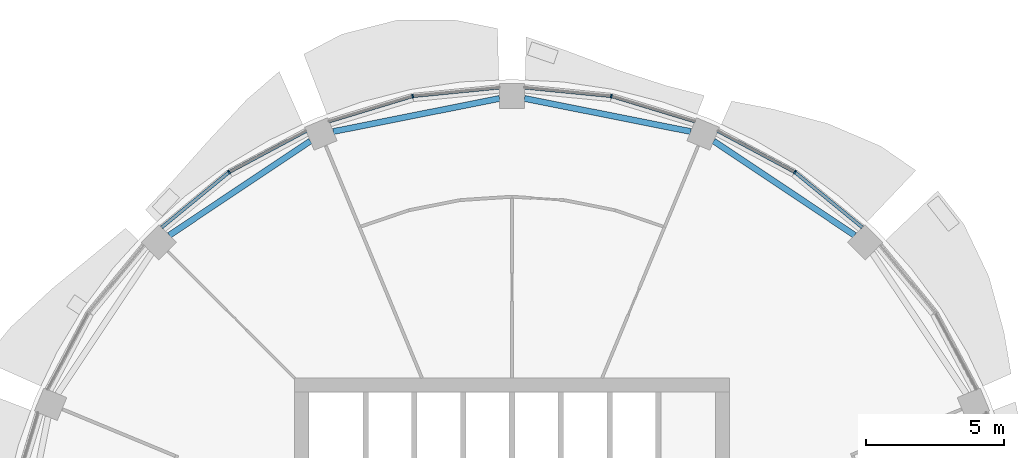
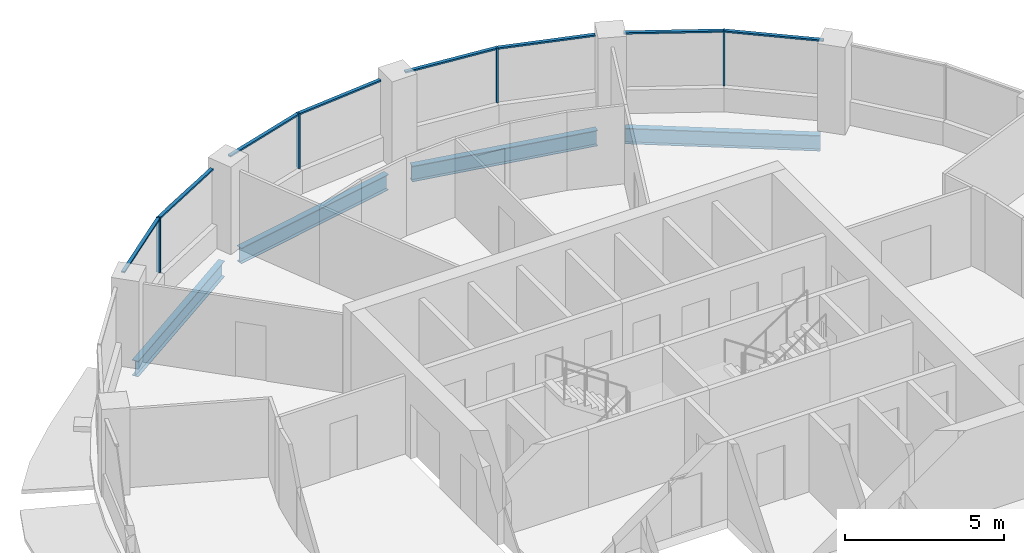
# One storey, part 6 of 15: 12 members, 4 beams, 4 elements without a shape of their own.
"""IFC4 building model written with IfcOpenShell, lengths in metres."""

from ifc_helpers import new_model, si_unit, direction, frame, origin, origin_2d, place, context, subcontext, project, spatial, rectangle, i_section, extrude, material, material_profile, profile_set, type_object, element, aggregate, save


model = new_model("IFC4")

# Units and contexts
model_context = context("Model", 3, precision=1e-05, world=origin(), true_north=direction((0.0, 1.0)))
body_context = subcontext(model_context, "Body", "Model", "MODEL_VIEW")
ifc_project = project(units=[si_unit("LENGTHUNIT", "METRE"), si_unit("AREAUNIT", "SQUARE_METRE"), si_unit("VOLUMEUNIT", "CUBIC_METRE"), si_unit("PLANEANGLEUNIT", "RADIAN"), si_unit("MASSUNIT", "GRAM", prefix="KILO")], contexts=[model_context])

# Site, building, storey
site_placement = place(None, origin())
site = spatial("IfcSite", under=ifc_project, at=site_placement, CompositionType="ELEMENT")
building_placement = place(site_placement, origin())
building = spatial("IfcBuilding", under=site, at=building_placement, Name="Polderwave Tower", CompositionType="ELEMENT")
storey_placement = place(building_placement, frame((0.0, 0.0, 167.550048828125)))
storey = spatial("IfcBuildingStorey", under=building, at=storey_placement, Name="L44", CompositionType="ELEMENT", Elevation=167.550048828125)

# Curtain wall, member
ifc_material_1 = material(Name="Aluminium 6063-T6 and glass", Category="aluminium")
curtain_wall_type = type_object("IfcCurtainWallType", Name="Office ribbon glazing wall", PredefinedType="NOTDEFINED", material=ifc_material_1)
curtain_wall_1_placement = place(storey_placement, origin())
curtain_wall_1 = element("IfcCurtainWall", 1, at=curtain_wall_1_placement, inside=storey, type_object=curtain_wall_type, Name="CW3 L44 02", PredefinedType="NOTDEFINED")
ifc_material_2 = material(Name="Aluminium 6063-T6", Category="aluminium")
ifc_material_profile_1 = material_profile(ifc_material_2, rectangle(XDim=0.139892578125, YDim=0.054931640625, at=origin_2d()), Name="AL 55x140")
ifc_profile_set_1 = profile_set([ifc_material_profile_1], Name="Aluminium 6063-T6")
member_type_1 = type_object("IfcMemberType", Name="Office ribbon glazing mullion 55x140", PredefinedType="MULLION", material=ifc_profile_set_1)
member_1_placement = place(storey_placement, frame((10.25, 15.341064453125, 0.89990234375), z_axis=(0.0, 0.0, 1.0), x_axis=(-0.555454132545, -0.831547176436, 0.0)))
member_1 = element("IfcMember", 2, at=member_1_placement, type_object=member_type_1, Name="CW3 mullion 1", PredefinedType="MULLION", context=body_context, shape_type="SweptSolid", body=[
    extrude(rectangle(XDim=0.139892578125, YDim=0.054931640625, at=origin_2d()), origin(), (0.0, 0.0, 1.0), 2.10009765625),
])

curtain_wall_2_placement = place(storey_placement, origin())
curtain_wall_2 = element("IfcCurtainWall", 3, at=curtain_wall_2_placement, inside=storey, type_object=curtain_wall_type, Name="CW3 L44 03", PredefinedType="NOTDEFINED")
member_2_placement = place(storey_placement, frame((3.59912109375, 18.094970703125, 0.89990234375), z_axis=(0.0, 0.0, 1.0), x_axis=(-0.195097169184, -0.980783918392, 0.0)))
member_2 = element("IfcMember", 4, at=member_2_placement, type_object=member_type_1, Name="CW3 mullion 1", PredefinedType="MULLION", context=body_context, shape_type="SweptSolid", body=[
    extrude(rectangle(XDim=0.139892578125, YDim=0.054931640625, at=origin_2d()), origin(), (0.0, 0.0, 1.0), 2.10009765625),
])

curtain_wall_3_placement = place(storey_placement, origin())
curtain_wall_3 = element("IfcCurtainWall", 5, at=curtain_wall_3_placement, inside=storey, type_object=curtain_wall_type, Name="CW3 L44 04", PredefinedType="NOTDEFINED")
member_3_placement = place(storey_placement, frame((-3.59912109375, 18.094970703125, 0.89990234375), z_axis=(0.0, 0.0, 1.0), x_axis=(0.195097169184, -0.980783918392, 0.0)))
member_3 = element("IfcMember", 6, at=member_3_placement, type_object=member_type_1, Name="CW3 mullion 1", PredefinedType="MULLION", context=body_context, shape_type="SweptSolid", body=[
    extrude(rectangle(XDim=0.139892578125, YDim=0.054931640625, at=origin_2d()), origin(), (0.0, 0.0, 1.0), 2.10009765625),
])

curtain_wall_4_placement = place(storey_placement, origin())
curtain_wall_4 = element("IfcCurtainWall", 7, at=curtain_wall_4_placement, inside=storey, type_object=curtain_wall_type, Name="CW3 L44 05", PredefinedType="NOTDEFINED")
member_4_placement = place(storey_placement, frame((-10.25, 15.341064453125, 0.89990234375), z_axis=(0.0, 0.0, 1.0), x_axis=(0.555454132545, -0.831547176436, 0.0)))
member_4 = element("IfcMember", 8, at=member_4_placement, type_object=member_type_1, Name="CW3 mullion 1", PredefinedType="MULLION", context=body_context, shape_type="SweptSolid", body=[
    extrude(rectangle(XDim=0.139892578125, YDim=0.054931640625, at=origin_2d()), origin(), (0.0, 0.0, 1.0), 2.10009765625),
])

# Member
ifc_material_profile_2 = material_profile(ifc_material_2, rectangle(XDim=0.1201171875, YDim=0.06005859375, at=origin_2d()), Name="AL 60x120")
ifc_profile_set_2 = profile_set([ifc_material_profile_2], Name="Aluminium 6063-T6")
member_type_2 = type_object("IfcMemberType", Name="Office ribbon glazing transom 60x120", PredefinedType="USERDEFINED", material=ifc_profile_set_2)
member_5_placement = place(storey_placement, frame((12.697021484375, 13.3330078125, 2.969970703125), z_axis=(-0.773058696079, 0.634334495686, 0.0), x_axis=(-0.634334495686, -0.773058696079, 0.0)))
member_5 = element("IfcMember", 9, at=member_5_placement, type_object=member_type_2, Name="CW3 transom 1", ObjectType="TRANSOM", PredefinedType="USERDEFINED", context=body_context, shape_type="SweptSolid", body=[
    extrude(rectangle(XDim=0.1201171875, YDim=0.06005859375, at=origin_2d()), origin(), (0.0, 0.0, 1.0), 3.137939453125),
])

member_6_placement = place(storey_placement, frame((10.2255859375, 15.35400390625, 2.969970703125), z_axis=(-0.882020915121, 0.471210255925, 0.0), x_axis=(-0.471210255925, -0.882020915121, 0.0)))
member_6 = element("IfcMember", 10, at=member_6_placement, type_object=member_type_2, Name="CW3 transom 2", ObjectType="TRANSOM", PredefinedType="USERDEFINED", context=body_context, shape_type="SweptSolid", body=[
    extrude(rectangle(XDim=0.1201171875, YDim=0.06005859375, at=origin_2d()), origin(), (0.0, 0.0, 1.0), 3.13671875),
])

aggregate(curtain_wall_1, [member_1, member_5, member_6])

member_7_placement = place(storey_placement, frame((6.6279296875, 17.177001953125, 2.969970703125), z_axis=(-0.957023749989, 0.29000955494, 0.0), x_axis=(-0.29000955494, -0.957023749989, 0.0)))
member_7 = element("IfcMember", 11, at=member_7_placement, type_object=member_type_2, Name="CW3 transom 1", ObjectType="TRANSOM", PredefinedType="USERDEFINED", context=body_context, shape_type="SweptSolid", body=[
    extrude(rectangle(XDim=0.1201171875, YDim=0.06005859375, at=origin_2d()), origin(), (0.0, 0.0, 1.0), 3.137451171875),
])

member_8_placement = place(storey_placement, frame((3.571533203125, 18.09765625, 2.969970703125), z_axis=(-0.995156679386, 0.098301492731, 0.0), x_axis=(-0.098301492731, -0.995156679386, 0.0)))
member_8 = element("IfcMember", 12, at=member_8_placement, type_object=member_type_2, Name="CW3 transom 2", ObjectType="TRANSOM", PredefinedType="USERDEFINED", context=body_context, shape_type="SweptSolid", body=[
    extrude(rectangle(XDim=0.1201171875, YDim=0.06005859375, at=origin_2d()), origin(), (0.0, 0.0, 1.0), 3.13671875),
])

aggregate(curtain_wall_2, [member_2, member_7, member_8])

member_9_placement = place(storey_placement, frame((-0.449951171875, 18.406005859375, 2.969970703125), z_axis=(-0.995156679386, -0.098301492731, 0.0), x_axis=(0.098301492731, -0.995156679386, 0.0)))
member_9 = element("IfcMember", 13, at=member_9_placement, type_object=member_type_2, Name="CW3 transom 1", ObjectType="TRANSOM", PredefinedType="USERDEFINED", context=body_context, shape_type="SweptSolid", body=[
    extrude(rectangle(XDim=0.1201171875, YDim=0.06005859375, at=origin_2d()), origin(), (0.0, 0.0, 1.0), 3.13671875),
])

member_10_placement = place(storey_placement, frame((-3.625244140625, 18.0869140625, 2.969970703125), z_axis=(-0.957023749989, -0.29000955494, 0.0), x_axis=(0.29000955494, -0.957023749989, 0.0)))
member_10 = element("IfcMember", 14, at=member_10_placement, type_object=member_type_2, Name="CW3 transom 2", ObjectType="TRANSOM", PredefinedType="USERDEFINED", context=body_context, shape_type="SweptSolid", body=[
    extrude(rectangle(XDim=0.1201171875, YDim=0.06005859375, at=origin_2d()), origin(), (0.0, 0.0, 1.0), 3.137451171875),
])

aggregate(curtain_wall_3, [member_3, member_9, member_10])

member_11_placement = place(storey_placement, frame((-7.458984375, 16.83203125, 2.969970703125), z_axis=(-0.882020915121, -0.471210255925, 0.0), x_axis=(0.471210255925, -0.882020915121, 0.0)))
member_11 = element("IfcMember", 15, at=member_11_placement, type_object=member_type_2, Name="CW3 transom 1", ObjectType="TRANSOM", PredefinedType="USERDEFINED", context=body_context, shape_type="SweptSolid", body=[
    extrude(rectangle(XDim=0.1201171875, YDim=0.06005859375, at=origin_2d()), origin(), (0.0, 0.0, 1.0), 3.13671875),
])

member_12_placement = place(storey_placement, frame((-10.271240234375, 15.323486328125, 2.969970703125), z_axis=(-0.773058696079, -0.634334495686, 0.0), x_axis=(0.634334495686, -0.773058696079, 0.0)))
member_12 = element("IfcMember", 16, at=member_12_placement, type_object=member_type_2, Name="CW3 transom 2", ObjectType="TRANSOM", PredefinedType="USERDEFINED", context=body_context, shape_type="SweptSolid", body=[
    extrude(rectangle(XDim=0.1201171875, YDim=0.06005859375, at=origin_2d()), origin(), (0.0, 0.0, 1.0), 3.137939453125),
])

aggregate(curtain_wall_4, [member_4, member_11, member_12])

# Beams
ifc_material_3 = material(Name="Steel S355", Category="steel")
ifc_material_profile_3 = material_profile(ifc_material_3, i_section(OverallWidth=0.219970703125, OverallDepth=0.60009765625, WebThickness=0.011962890625, FlangeThickness=0.01904296875, at=origin_2d()), Name="IPE 600")
ifc_profile_set_3 = profile_set([ifc_material_profile_3], Name="Steel S355")
beam_type = type_object("IfcBeamType", Name="RING BEAM IPE 600", PredefinedType="BEAM", material=ifc_profile_set_3)
for number, where, z_axis, x_axis, name in (
    (17, (12.417236328125, 13.053466796875, -0.650146484375), (-0.831469141634, 0.555570937424, 0.0), (-0.555570937424, -0.831469141634, 0.0), "ST-RB-L44-02"),
    (18, (6.4765625, 16.811767578125, -0.650146484375), (-0.980786434346, 0.195084520666, 0.0), (-0.195084520666, -0.980786434346, 0.0), "ST-RB-L44-03"),
    (19, (-0.449951171875, 18.010498046875, -0.650146484375), (-0.980786434346, -0.195084520666, 0.0), (0.195084520666, -0.980786434346, 0.0), "ST-RB-L44-04"),
    (20, (-7.30810546875, 16.46728515625, -0.650146484375), (-0.831469141634, -0.555570937424, 0.0), (0.555570937424, -0.831469141634, 0.0), "ST-RB-L44-05"),
):
    element("IfcBeam", number, at=place(storey_placement, frame(where, z_axis=z_axis, x_axis=x_axis)), inside=storey, type_object=beam_type, Name=name, PredefinedType="BEAM", context=body_context, shape_type="SweptSolid", body=[
        extrude(i_section(OverallWidth=0.219970703125, OverallDepth=0.60009765625, WebThickness=0.011962890625, FlangeThickness=0.01904296875, at=origin_2d()), origin(), (0.0, 0.0, 1.0), 6.144775390625),
    ])

save(model, "model.ifc")
